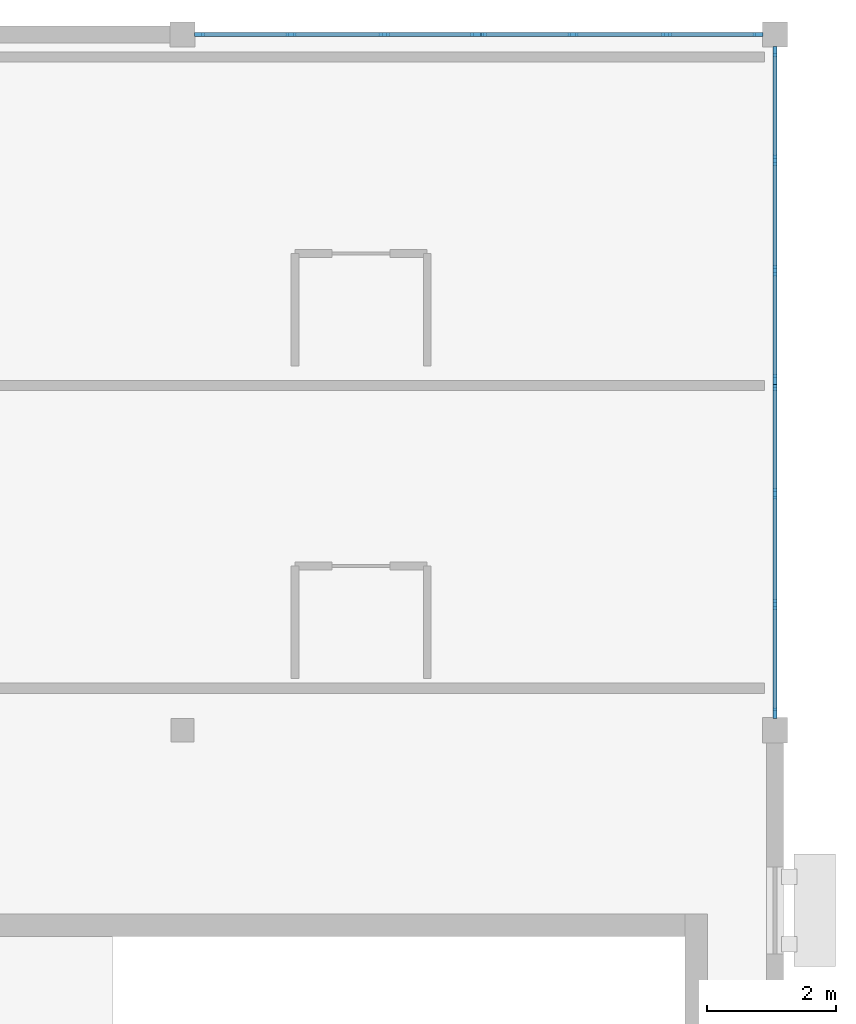
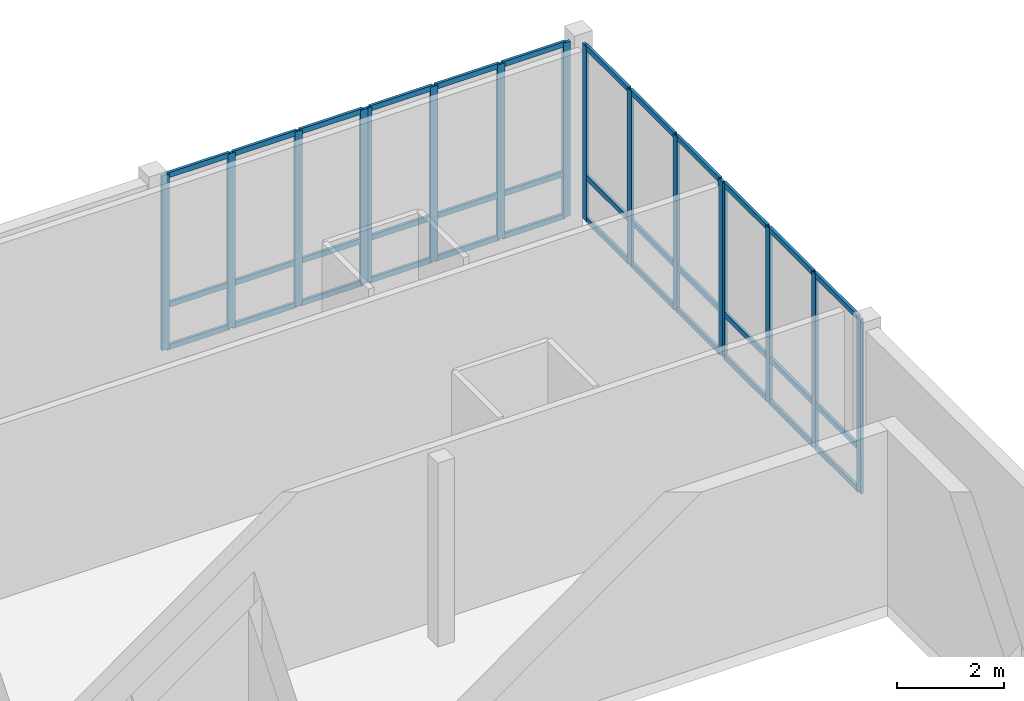
# One storey, part 2 of 9: 52 members, 4 elements without a shape of their own.
"""IFC4 building model written with IfcOpenShell, lengths in metres."""

import ifcopenshell
import ifcopenshell.guid

model = None  # the IFC model being written
_history = None  # IfcOwnerHistory: only IFC2X3 demands one
_inside = {}  # id of a spatial element -> (the spatial element, [elements in it])
_under = {}  # id of a project, library or spatial element -> (it, [spatial elements below it])
_declared = {}  # id of a project -> (the project, [libraries it declares])
_typed = {}  # id of a type object -> (the type object, [elements of that type])
_made_of = {}  # id of a material, layer set ... -> (it, [elements and type objects made of it])


def new_model(schema):
    """Start an empty IFC model of exactly this schema.

    Asked for "IFC4X3", IfcOpenShell would pick the latest addendum, in which some entities
    have other attributes; the version numbers below select the first issue.
    IFC2X3 requires an IfcOwnerHistory on every rooted entity: one is made here for all.
    """
    global model, _history
    if schema == "IFC4X3":
        model = ifcopenshell.file(schema_version=(4, 3, 0, 0))
    else:
        model = ifcopenshell.file(schema=schema)
    _inside.clear()
    _under.clear()
    _declared.clear()
    _typed.clear()
    _made_of.clear()
    _history = None
    if model.schema == "IFC2X3":
        org = make("IfcOrganization", Name="unknown")
        user = make(
            "IfcPersonAndOrganization",
            ThePerson=make("IfcPerson", FamilyName="unknown"),
            TheOrganization=org,
        )
        app = make(
            "IfcApplication",
            ApplicationDeveloper=org,
            Version="unknown",
            ApplicationFullName="unknown",
            ApplicationIdentifier="unknown",
        )
        _history = make(
            "IfcOwnerHistory",
            OwningUser=user,
            OwningApplication=app,
            ChangeAction="ADDED",
            CreationDate=0,
        )
    return model


def make(cls, **values):
    """One entity of the class cls with the attributes given. An attribute that is None is left unset."""
    return model.create_entity(
        cls, **{name: value for name, value in values.items() if value is not None}
    )


def rooted(cls, **values):
    """An entity with a GlobalId (a new one), such as an element, a storey or a relation."""
    return make(cls, GlobalId=ifcopenshell.guid.new(), OwnerHistory=_history, **values)


def si_unit(unit_type, name, prefix=None):
    """IfcSIUnit, for example si_unit("LENGTHUNIT", "METRE", prefix="MILLI")."""
    return make("IfcSIUnit", UnitType=unit_type, Prefix=prefix, Name=name)


def assignment(units):
    """IfcUnitAssignment: the units of a project."""
    return None if units is None else make("IfcUnitAssignment", Units=units)


def point(xyz):
    """IfcCartesianPoint."""
    return None if xyz is None else make("IfcCartesianPoint", Coordinates=xyz)


def direction(xyz):
    """IfcDirection."""
    return None if xyz is None else make("IfcDirection", DirectionRatios=xyz)


def frame(location, z_axis=None, x_axis=None):
    """IfcAxis2Placement3D, a coordinate frame: its origin and axes. An axis left out is left unset."""
    return make(
        "IfcAxis2Placement3D",
        Location=point(location),
        Axis=direction(z_axis),
        RefDirection=direction(x_axis),
    )


def frame_2d(location, x_axis=None):
    """IfcAxis2Placement2D, a coordinate frame in the plane: its origin and x axis."""
    return make(
        "IfcAxis2Placement2D", Location=point(location), RefDirection=direction(x_axis)
    )


def origin():
    """The frame at (0, 0, 0) with its axes left unset."""
    return frame((0.0, 0.0, 0.0))


def origin_2d():
    """The frame at (0, 0) in the plane with its x axis left unset."""
    return frame_2d((0.0, 0.0))


def place(relative_to, where):
    """IfcLocalPlacement: puts the frame where relative to a parent placement (None: the world)."""
    return make(
        "IfcLocalPlacement", PlacementRelTo=relative_to, RelativePlacement=where
    )


def context(
    kind, dimensions, precision=None, world=None, true_north=None, identifier=None
):
    """IfcGeometricRepresentationContext, for example the 3D "Model" context."""
    return make(
        "IfcGeometricRepresentationContext",
        ContextIdentifier=identifier,
        ContextType=kind,
        CoordinateSpaceDimension=dimensions,
        Precision=precision,
        WorldCoordinateSystem=world,
        TrueNorth=true_north,
    )


def subcontext(parent, identifier, kind, view, scale=None):
    """IfcGeometricRepresentationSubContext, for example "Body" below "Model"."""
    return make(
        "IfcGeometricRepresentationSubContext",
        ContextIdentifier=identifier,
        ContextType=kind,
        ParentContext=parent,
        TargetScale=scale,
        TargetView=view,
    )


def project(units=None, contexts=None):
    """IfcProject with its units and contexts."""
    return rooted(
        "IfcProject",
        Name="project",
        RepresentationContexts=contexts,
        UnitsInContext=assignment(units),
    )


def spatial(cls, under=None, at=None, **own):
    """A site, building, storey or space (cls), placed at a placement, below another one or the project."""
    s = rooted(cls, ObjectPlacement=at, **own)
    if under is not None:
        _under.setdefault(under.id(), (under, []))[1].append(s)
    return s


def profile(cls, at=None, kind="AREA", **sizes):
    """A parametric profile (cls). Its sizes go by their IFC names, for example OverallWidth=200.0."""
    return make(cls, ProfileType=kind, Position=at, **sizes)


def rectangle(**sizes):
    """IfcRectangleProfileDef."""
    return profile("IfcRectangleProfileDef", **sizes)


def extrude(swept, where, along, depth):
    """IfcExtrudedAreaSolid: the profile swept, set in the frame where, extruded along a direction by depth."""
    return make(
        "IfcExtrudedAreaSolid",
        SweptArea=swept,
        Position=where,
        ExtrudedDirection=direction(along),
        Depth=depth,
    )


def shape(context_of_items, identifier, shape_type, items):
    """IfcShapeRepresentation: the items that make up one representation, for example the "Body"."""
    return make(
        "IfcShapeRepresentation",
        ContextOfItems=context_of_items,
        RepresentationIdentifier=identifier,
        RepresentationType=shape_type,
        Items=items,
    )


def material(Name=None, Category=None):
    """IfcMaterial."""
    return make("IfcMaterial", Name=Name, Category=Category)


def material_profile(
    of_material, cross_section, Name=None, Category=None, Priority=None
):
    """IfcMaterialProfile: a cross section and its material."""
    return make(
        "IfcMaterialProfile",
        Name=Name,
        Material=of_material,
        Profile=cross_section,
        Priority=Priority,
        Category=Category,
    )


def profile_set(profiles, Name=None, composite=None):
    """IfcMaterialProfileSet."""
    return make(
        "IfcMaterialProfileSet",
        Name=Name,
        MaterialProfiles=profiles,
        CompositeProfile=composite,
    )


def made_of(thing, what):
    """Note that an element or type object is made of a material, layer set ...; save() writes the relation."""
    if what is not None:
        _made_of.setdefault(what.id(), (what, []))[1].append(thing)
    return thing


def type_object(cls, material=None, **own):
    """A type object (cls), such as IfcWallType, which elements share."""
    return made_of(rooted(cls, **own), material)


def element(
    cls,
    number,
    at=None,
    inside=None,
    cuts=None,
    type_object=None,
    material=None,
    context=None,
    identifier="Body",
    shape_type=None,
    held_by="IfcProductDefinitionShape",
    body=None,
    shapes=None,
    **own,
):
    """One element of the class cls, such as IfcWall. Its Tag is "e" and its number.

    at: its placement. inside: the storey or other place that contains it. cuts: it is an
    opening in that element (IfcRelVoidsElement). A single representation is given by context,
    identifier, shape_type and body (its items); several are given by shapes. held_by: the class
    of the entity that holds the representations. save() writes the other relations.
    """
    e = rooted(cls, Tag="e%d" % number, ObjectPlacement=at, **own)
    if body is not None:
        shapes = [shape(context, identifier, shape_type, body)]
    if shapes is not None:
        e.Representation = make(held_by, Representations=shapes)
    if inside is not None:
        _inside.setdefault(inside.id(), (inside, []))[1].append(e)
    if cuts is not None:
        rooted(
            "IfcRelVoidsElement", RelatingBuildingElement=cuts, RelatedOpeningElement=e
        )
    if type_object is not None:
        _typed.setdefault(type_object.id(), (type_object, []))[1].append(e)
    return made_of(e, material)


def aggregate(whole, parts):
    """IfcRelAggregates: a whole, such as a stair, and the parts it consists of."""
    return rooted("IfcRelAggregates", RelatingObject=whole, RelatedObjects=parts)


def save(model, path):
    """Write the relations noted so far, then the file.

    IfcRelAggregates (storeys below a building ...), IfcRelContainedInSpatialStructure (elements
    in a storey), IfcRelDefinesByType, IfcRelAssociatesMaterial and IfcRelDeclares: one each for
    every whole, place, type object, material and project.
    """
    for whole, parts in _under.values():
        aggregate(whole, parts)
    for where, things in _inside.values():
        rooted(
            "IfcRelContainedInSpatialStructure",
            RelatedElements=things,
            RelatingStructure=where,
        )
    for kind, things in _typed.values():
        rooted("IfcRelDefinesByType", RelatedObjects=things, RelatingType=kind)
    for what, things in _made_of.values():
        rooted("IfcRelAssociatesMaterial", RelatedObjects=things, RelatingMaterial=what)
    for by, libraries in _declared.values():
        rooted("IfcRelDeclares", RelatingContext=by, RelatedDefinitions=libraries)
    model.write(path)


model = new_model("IFC4")

# Units and contexts
model_context = context("Model", 3, precision=1e-05, world=origin(), true_north=direction((0.0, 1.0)))
body_context = subcontext(model_context, "Body", "Model", "MODEL_VIEW")
ifc_project = project(units=[si_unit("LENGTHUNIT", "METRE"), si_unit("AREAUNIT", "SQUARE_METRE"), si_unit("VOLUMEUNIT", "CUBIC_METRE"), si_unit("PLANEANGLEUNIT", "RADIAN"), si_unit("MASSUNIT", "GRAM", prefix="KILO")], contexts=[model_context])

# Site, building, storey
site_placement = place(None, origin())
site = spatial("IfcSite", under=ifc_project, at=site_placement, CompositionType="ELEMENT")
building_placement = place(site_placement, origin())
building = spatial("IfcBuilding", under=site, at=building_placement, Name="Veldera Park Congress Hotel", CompositionType="ELEMENT")
storey_placement = place(building_placement, frame((0.0, 0.0, 46.60009765625)))
storey = spatial("IfcBuildingStorey", under=building, at=storey_placement, Name="L11", CompositionType="ELEMENT", Elevation=46.60009765625)

# Curtain wall, members
ifc_material_1 = material(Name="Low-E Triple Insulating Glass Unit (SHGC 0.22)", Category="glass")
curtain_wall_type = type_object("IfcCurtainWallType", Name="CW-HTL", PredefinedType="NOTDEFINED", material=ifc_material_1)
curtain_wall_1_placement = place(storey_placement, origin())
curtain_wall_1 = element("IfcCurtainWall", 1, at=curtain_wall_1_placement, inside=storey, type_object=curtain_wall_type, Name="L11 Curtain Wall CW3-HTLNE-L11-130", PredefinedType="NOTDEFINED")
ifc_material_2 = material(Name="Anodised Aluminium Alloy 6063-T6", Category="aluminium")
ifc_material_profile_1 = material_profile(ifc_material_2, rectangle(XDim=0.06005859375, YDim=0.159912109375, at=origin_2d()), Name="ALU 60x160")
ifc_profile_set_1 = profile_set([ifc_material_profile_1], Name="Anodised Aluminium Alloy 6063-T6")
member_type_1 = type_object("IfcMemberType", Name="CWM-160", PredefinedType="MULLION", material=ifc_profile_set_1)
member_1_placement = place(storey_placement, frame((84.0, 47.465087890625, 0.0), z_axis=(0.0, 0.0, 1.0), x_axis=(-1.0, 0.0, 0.0)))
member_1 = element("IfcMember", 2, at=member_1_placement, type_object=member_type_1, Name="CW-HTL mullion 1", PredefinedType="MULLION", context=body_context, shape_type="SweptSolid", body=[
    extrude(rectangle(XDim=0.06005859375, YDim=0.159912109375, at=origin_2d()), origin(), (0.0, 0.0, 1.0), 3.989990234375),
])
member_2_placement = place(storey_placement, frame((84.0, 49.151611328125, 0.0), z_axis=(0.0, 0.0, 1.0), x_axis=(-1.0, 0.0, 0.0)))
member_2 = element("IfcMember", 3, at=member_2_placement, type_object=member_type_1, Name="CW-HTL mullion 2", PredefinedType="MULLION", context=body_context, shape_type="SweptSolid", body=[
    extrude(rectangle(XDim=0.06005859375, YDim=0.159912109375, at=origin_2d()), origin(), (0.0, 0.0, 1.0), 3.989990234375),
])
member_3_placement = place(storey_placement, frame((84.0, 50.868408203125, 0.0), z_axis=(0.0, 0.0, 1.0), x_axis=(-1.0, 0.0, 0.0)))
member_3 = element("IfcMember", 4, at=member_3_placement, type_object=member_type_1, Name="CW-HTL mullion 3", PredefinedType="MULLION", context=body_context, shape_type="SweptSolid", body=[
    extrude(rectangle(XDim=0.06005859375, YDim=0.159912109375, at=origin_2d()), origin(), (0.0, 0.0, 1.0), 3.989990234375),
])
member_4_placement = place(storey_placement, frame((84.0, 52.554931640625, 0.0), z_axis=(0.0, 0.0, 1.0), x_axis=(-1.0, 0.0, 0.0)))
member_4 = element("IfcMember", 5, at=member_4_placement, type_object=member_type_1, Name="CW-HTL mullion 4", PredefinedType="MULLION", context=body_context, shape_type="SweptSolid", body=[
    extrude(rectangle(XDim=0.06005859375, YDim=0.159912109375, at=origin_2d()), origin(), (0.0, 0.0, 1.0), 3.989990234375),
])

curtain_wall_2_placement = place(storey_placement, origin())
curtain_wall_2 = element("IfcCurtainWall", 6, at=curtain_wall_2_placement, inside=storey, type_object=curtain_wall_type, Name="L11 Curtain Wall CW3-HTLNE-L11-131", PredefinedType="NOTDEFINED")
member_5_placement = place(storey_placement, frame((84.0, 52.64501953125, 0.0), z_axis=(0.0, 0.0, 1.0), x_axis=(-1.0, 0.0, 0.0)))
member_5 = element("IfcMember", 7, at=member_5_placement, type_object=member_type_1, Name="CW-HTL mullion 1", PredefinedType="MULLION", context=body_context, shape_type="SweptSolid", body=[
    extrude(rectangle(XDim=0.06005859375, YDim=0.159912109375, at=origin_2d()), origin(), (0.0, 0.0, 1.0), 3.989990234375),
])
member_6_placement = place(storey_placement, frame((84.0, 54.331787109375, 0.0), z_axis=(0.0, 0.0, 1.0), x_axis=(-1.0, 0.0, 0.0)))
member_6 = element("IfcMember", 8, at=member_6_placement, type_object=member_type_1, Name="CW-HTL mullion 2", PredefinedType="MULLION", context=body_context, shape_type="SweptSolid", body=[
    extrude(rectangle(XDim=0.06005859375, YDim=0.159912109375, at=origin_2d()), origin(), (0.0, 0.0, 1.0), 3.989990234375),
])
member_7_placement = place(storey_placement, frame((84.0, 56.04833984375, 0.0), z_axis=(0.0, 0.0, 1.0), x_axis=(-1.0, 0.0, 0.0)))
member_7 = element("IfcMember", 9, at=member_7_placement, type_object=member_type_1, Name="CW-HTL mullion 3", PredefinedType="MULLION", context=body_context, shape_type="SweptSolid", body=[
    extrude(rectangle(XDim=0.06005859375, YDim=0.159912109375, at=origin_2d()), origin(), (0.0, 0.0, 1.0), 3.989990234375),
])
member_8_placement = place(storey_placement, frame((84.0, 57.735107421875, 0.0), z_axis=(0.0, 0.0, 1.0), x_axis=(-1.0, 0.0, 0.0)))
member_8 = element("IfcMember", 10, at=member_8_placement, type_object=member_type_1, Name="CW-HTL mullion 4", PredefinedType="MULLION", context=body_context, shape_type="SweptSolid", body=[
    extrude(rectangle(XDim=0.06005859375, YDim=0.159912109375, at=origin_2d()), origin(), (0.0, 0.0, 1.0), 3.989990234375),
])

curtain_wall_3_placement = place(storey_placement, origin())
curtain_wall_3 = element("IfcCurtainWall", 11, at=curtain_wall_3_placement, inside=storey, type_object=curtain_wall_type, Name="L11 Curtain Wall CW3-HTLNN-L11-132", PredefinedType="NOTDEFINED")
member_9_placement = place(storey_placement, frame((83.735107421875, 58.0, 0.0), z_axis=(0.0, 0.0, 1.0), x_axis=(0.0, -1.0, 0.0)))
member_9 = element("IfcMember", 12, at=member_9_placement, type_object=member_type_1, Name="CW-HTL mullion 1", PredefinedType="MULLION", context=body_context, shape_type="SweptSolid", body=[
    extrude(rectangle(XDim=0.06005859375, YDim=0.159912109375, at=origin_2d()), origin(), (0.0, 0.0, 1.0), 3.989990234375),
])
member_10_placement = place(storey_placement, frame((82.31494140625, 58.0, 0.0), z_axis=(0.0, 0.0, 1.0), x_axis=(0.0, -1.0, 0.0)))
member_10 = element("IfcMember", 13, at=member_10_placement, type_object=member_type_1, Name="CW-HTL mullion 2", PredefinedType="MULLION", context=body_context, shape_type="SweptSolid", body=[
    extrude(rectangle(XDim=0.06005859375, YDim=0.159912109375, at=origin_2d()), origin(), (0.0, 0.0, 1.0), 3.989990234375),
])
member_11_placement = place(storey_placement, frame((80.864990234375, 58.0, 0.0), z_axis=(0.0, 0.0, 1.0), x_axis=(0.0, -1.0, 0.0)))
member_11 = element("IfcMember", 14, at=member_11_placement, type_object=member_type_1, Name="CW-HTL mullion 3", PredefinedType="MULLION", context=body_context, shape_type="SweptSolid", body=[
    extrude(rectangle(XDim=0.06005859375, YDim=0.159912109375, at=origin_2d()), origin(), (0.0, 0.0, 1.0), 3.989990234375),
])
member_12_placement = place(storey_placement, frame((79.445068359375, 58.0, 0.0), z_axis=(0.0, 0.0, 1.0), x_axis=(0.0, -1.0, 0.0)))
member_12 = element("IfcMember", 15, at=member_12_placement, type_object=member_type_1, Name="CW-HTL mullion 4", PredefinedType="MULLION", context=body_context, shape_type="SweptSolid", body=[
    extrude(rectangle(XDim=0.06005859375, YDim=0.159912109375, at=origin_2d()), origin(), (0.0, 0.0, 1.0), 3.989990234375),
])

curtain_wall_4_placement = place(storey_placement, origin())
curtain_wall_4 = element("IfcCurtainWall", 16, at=curtain_wall_4_placement, inside=storey, type_object=curtain_wall_type, Name="L11 Curtain Wall CW3-HTLNN-L11-133", PredefinedType="NOTDEFINED")
member_13_placement = place(storey_placement, frame((79.35498046875, 58.0, 0.0), z_axis=(0.0, 0.0, 1.0), x_axis=(0.0, -1.0, 0.0)))
member_13 = element("IfcMember", 17, at=member_13_placement, type_object=member_type_1, Name="CW-HTL mullion 1", PredefinedType="MULLION", context=body_context, shape_type="SweptSolid", body=[
    extrude(rectangle(XDim=0.06005859375, YDim=0.159912109375, at=origin_2d()), origin(), (0.0, 0.0, 1.0), 3.989990234375),
])
member_14_placement = place(storey_placement, frame((77.93505859375, 58.0, 0.0), z_axis=(0.0, 0.0, 1.0), x_axis=(0.0, -1.0, 0.0)))
member_14 = element("IfcMember", 18, at=member_14_placement, type_object=member_type_1, Name="CW-HTL mullion 2", PredefinedType="MULLION", context=body_context, shape_type="SweptSolid", body=[
    extrude(rectangle(XDim=0.06005859375, YDim=0.159912109375, at=origin_2d()), origin(), (0.0, 0.0, 1.0), 3.989990234375),
])
member_15_placement = place(storey_placement, frame((76.485107421875, 58.0, 0.0), z_axis=(0.0, 0.0, 1.0), x_axis=(0.0, -1.0, 0.0)))
member_15 = element("IfcMember", 19, at=member_15_placement, type_object=member_type_1, Name="CW-HTL mullion 3", PredefinedType="MULLION", context=body_context, shape_type="SweptSolid", body=[
    extrude(rectangle(XDim=0.06005859375, YDim=0.159912109375, at=origin_2d()), origin(), (0.0, 0.0, 1.0), 3.989990234375),
])
member_16_placement = place(storey_placement, frame((75.06494140625, 58.0, 0.0), z_axis=(0.0, 0.0, 1.0), x_axis=(0.0, -1.0, 0.0)))
member_16 = element("IfcMember", 20, at=member_16_placement, type_object=member_type_1, Name="CW-HTL mullion 4", PredefinedType="MULLION", context=body_context, shape_type="SweptSolid", body=[
    extrude(rectangle(XDim=0.06005859375, YDim=0.159912109375, at=origin_2d()), origin(), (0.0, 0.0, 1.0), 3.989990234375),
])

# Member
ifc_material_profile_2 = material_profile(ifc_material_2, rectangle(XDim=0.06005859375, YDim=0.1201171875, at=origin_2d()), Name="ALU 60x120")
ifc_profile_set_2 = profile_set([ifc_material_profile_2], Name="Anodised Aluminium Alloy 6063-T6")
member_type_2 = type_object("IfcMemberType", Name="CWT-120", PredefinedType="USERDEFINED", material=ifc_profile_set_2)
member_17_placement = place(storey_placement, frame((84.0, 47.4951171875, 0.02978515625), z_axis=(0.0, 1.0, 0.0), x_axis=(-1.0, 0.0, 0.0)))
member_17 = element("IfcMember", 21, at=member_17_placement, type_object=member_type_2, Name="CW-HTL transom 1.1", ObjectType="TRANSOM", PredefinedType="USERDEFINED", context=body_context, shape_type="SweptSolid", body=[
    extrude(rectangle(XDim=0.06005859375, YDim=0.1201171875, at=origin_2d()), origin(), (0.0, 0.0, 1.0), 1.62646484375),
])

member_18_placement = place(storey_placement, frame((84.0, 47.4951171875, 1.0), z_axis=(0.0, 1.0, 0.0), x_axis=(-1.0, 0.0, 0.0)))
member_18 = element("IfcMember", 22, at=member_18_placement, type_object=member_type_2, Name="CW-HTL transom 1.2", ObjectType="TRANSOM", PredefinedType="USERDEFINED", context=body_context, shape_type="SweptSolid", body=[
    extrude(rectangle(XDim=0.06005859375, YDim=0.1201171875, at=origin_2d()), origin(), (0.0, 0.0, 1.0), 1.62646484375),
])

member_19_placement = place(storey_placement, frame((84.0, 47.4951171875, 3.9599609375), z_axis=(0.0, 1.0, 0.0), x_axis=(-1.0, 0.0, 0.0)))
member_19 = element("IfcMember", 23, at=member_19_placement, type_object=member_type_2, Name="CW-HTL transom 1.3", ObjectType="TRANSOM", PredefinedType="USERDEFINED", context=body_context, shape_type="SweptSolid", body=[
    extrude(rectangle(XDim=0.06005859375, YDim=0.1201171875, at=origin_2d()), origin(), (0.0, 0.0, 1.0), 1.62646484375),
])

member_20_placement = place(storey_placement, frame((84.0, 49.181640625, 0.02978515625), z_axis=(0.0, 1.0, 0.0), x_axis=(-1.0, 0.0, 0.0)))
member_20 = element("IfcMember", 24, at=member_20_placement, type_object=member_type_2, Name="CW-HTL transom 2.1", ObjectType="TRANSOM", PredefinedType="USERDEFINED", context=body_context, shape_type="SweptSolid", body=[
    extrude(rectangle(XDim=0.06005859375, YDim=0.1201171875, at=origin_2d()), origin(), (0.0, 0.0, 1.0), 1.65673828125),
])

member_21_placement = place(storey_placement, frame((84.0, 49.181640625, 1.0), z_axis=(0.0, 1.0, 0.0), x_axis=(-1.0, 0.0, 0.0)))
member_21 = element("IfcMember", 25, at=member_21_placement, type_object=member_type_2, Name="CW-HTL transom 2.2", ObjectType="TRANSOM", PredefinedType="USERDEFINED", context=body_context, shape_type="SweptSolid", body=[
    extrude(rectangle(XDim=0.06005859375, YDim=0.1201171875, at=origin_2d()), origin(), (0.0, 0.0, 1.0), 1.65673828125),
])

member_22_placement = place(storey_placement, frame((84.0, 49.181640625, 3.9599609375), z_axis=(0.0, 1.0, 0.0), x_axis=(-1.0, 0.0, 0.0)))
member_22 = element("IfcMember", 26, at=member_22_placement, type_object=member_type_2, Name="CW-HTL transom 2.3", ObjectType="TRANSOM", PredefinedType="USERDEFINED", context=body_context, shape_type="SweptSolid", body=[
    extrude(rectangle(XDim=0.06005859375, YDim=0.1201171875, at=origin_2d()), origin(), (0.0, 0.0, 1.0), 1.65673828125),
])

member_23_placement = place(storey_placement, frame((84.0, 50.8984375, 0.02978515625), z_axis=(0.0, 1.0, 0.0), x_axis=(-1.0, 0.0, 0.0)))
member_23 = element("IfcMember", 27, at=member_23_placement, type_object=member_type_2, Name="CW-HTL transom 3.1", ObjectType="TRANSOM", PredefinedType="USERDEFINED", context=body_context, shape_type="SweptSolid", body=[
    extrude(rectangle(XDim=0.06005859375, YDim=0.1201171875, at=origin_2d()), origin(), (0.0, 0.0, 1.0), 1.62646484375),
])

member_24_placement = place(storey_placement, frame((84.0, 50.8984375, 1.0), z_axis=(0.0, 1.0, 0.0), x_axis=(-1.0, 0.0, 0.0)))
member_24 = element("IfcMember", 28, at=member_24_placement, type_object=member_type_2, Name="CW-HTL transom 3.2", ObjectType="TRANSOM", PredefinedType="USERDEFINED", context=body_context, shape_type="SweptSolid", body=[
    extrude(rectangle(XDim=0.06005859375, YDim=0.1201171875, at=origin_2d()), origin(), (0.0, 0.0, 1.0), 1.62646484375),
])

member_25_placement = place(storey_placement, frame((84.0, 50.8984375, 3.9599609375), z_axis=(0.0, 1.0, 0.0), x_axis=(-1.0, 0.0, 0.0)))
member_25 = element("IfcMember", 29, at=member_25_placement, type_object=member_type_2, Name="CW-HTL transom 3.3", ObjectType="TRANSOM", PredefinedType="USERDEFINED", context=body_context, shape_type="SweptSolid", body=[
    extrude(rectangle(XDim=0.06005859375, YDim=0.1201171875, at=origin_2d()), origin(), (0.0, 0.0, 1.0), 1.62646484375),
])

aggregate(curtain_wall_1, [member_1, member_2, member_3, member_4, member_17, member_18, member_19, member_20, member_21, member_22, member_23, member_24, member_25])

member_26_placement = place(storey_placement, frame((84.0, 52.675048828125, 0.02978515625), z_axis=(0.0, 1.0, 0.0), x_axis=(-1.0, 0.0, 0.0)))
member_26 = element("IfcMember", 30, at=member_26_placement, type_object=member_type_2, Name="CW-HTL transom 1.1", ObjectType="TRANSOM", PredefinedType="USERDEFINED", context=body_context, shape_type="SweptSolid", body=[
    extrude(rectangle(XDim=0.06005859375, YDim=0.1201171875, at=origin_2d()), origin(), (0.0, 0.0, 1.0), 1.626708984375),
])

member_27_placement = place(storey_placement, frame((84.0, 52.675048828125, 1.0), z_axis=(0.0, 1.0, 0.0), x_axis=(-1.0, 0.0, 0.0)))
member_27 = element("IfcMember", 31, at=member_27_placement, type_object=member_type_2, Name="CW-HTL transom 1.2", ObjectType="TRANSOM", PredefinedType="USERDEFINED", context=body_context, shape_type="SweptSolid", body=[
    extrude(rectangle(XDim=0.06005859375, YDim=0.1201171875, at=origin_2d()), origin(), (0.0, 0.0, 1.0), 1.626708984375),
])

member_28_placement = place(storey_placement, frame((84.0, 52.675048828125, 3.9599609375), z_axis=(0.0, 1.0, 0.0), x_axis=(-1.0, 0.0, 0.0)))
member_28 = element("IfcMember", 32, at=member_28_placement, type_object=member_type_2, Name="CW-HTL transom 1.3", ObjectType="TRANSOM", PredefinedType="USERDEFINED", context=body_context, shape_type="SweptSolid", body=[
    extrude(rectangle(XDim=0.06005859375, YDim=0.1201171875, at=origin_2d()), origin(), (0.0, 0.0, 1.0), 1.626708984375),
])

member_29_placement = place(storey_placement, frame((84.0, 54.361572265625, 0.02978515625), z_axis=(0.0, 1.0, 0.0), x_axis=(-1.0, 0.0, 0.0)))
member_29 = element("IfcMember", 33, at=member_29_placement, type_object=member_type_2, Name="CW-HTL transom 2.1", ObjectType="TRANSOM", PredefinedType="USERDEFINED", context=body_context, shape_type="SweptSolid", body=[
    extrude(rectangle(XDim=0.06005859375, YDim=0.1201171875, at=origin_2d()), origin(), (0.0, 0.0, 1.0), 1.65673828125),
])

member_30_placement = place(storey_placement, frame((84.0, 54.361572265625, 1.0), z_axis=(0.0, 1.0, 0.0), x_axis=(-1.0, 0.0, 0.0)))
member_30 = element("IfcMember", 34, at=member_30_placement, type_object=member_type_2, Name="CW-HTL transom 2.2", ObjectType="TRANSOM", PredefinedType="USERDEFINED", context=body_context, shape_type="SweptSolid", body=[
    extrude(rectangle(XDim=0.06005859375, YDim=0.1201171875, at=origin_2d()), origin(), (0.0, 0.0, 1.0), 1.65673828125),
])

member_31_placement = place(storey_placement, frame((84.0, 54.361572265625, 3.9599609375), z_axis=(0.0, 1.0, 0.0), x_axis=(-1.0, 0.0, 0.0)))
member_31 = element("IfcMember", 35, at=member_31_placement, type_object=member_type_2, Name="CW-HTL transom 2.3", ObjectType="TRANSOM", PredefinedType="USERDEFINED", context=body_context, shape_type="SweptSolid", body=[
    extrude(rectangle(XDim=0.06005859375, YDim=0.1201171875, at=origin_2d()), origin(), (0.0, 0.0, 1.0), 1.65673828125),
])

member_32_placement = place(storey_placement, frame((84.0, 56.078369140625, 0.02978515625), z_axis=(0.0, 1.0, 0.0), x_axis=(-1.0, 0.0, 0.0)))
member_32 = element("IfcMember", 36, at=member_32_placement, type_object=member_type_2, Name="CW-HTL transom 3.1", ObjectType="TRANSOM", PredefinedType="USERDEFINED", context=body_context, shape_type="SweptSolid", body=[
    extrude(rectangle(XDim=0.06005859375, YDim=0.1201171875, at=origin_2d()), origin(), (0.0, 0.0, 1.0), 1.626708984375),
])

member_33_placement = place(storey_placement, frame((84.0, 56.078369140625, 1.0), z_axis=(0.0, 1.0, 0.0), x_axis=(-1.0, 0.0, 0.0)))
member_33 = element("IfcMember", 37, at=member_33_placement, type_object=member_type_2, Name="CW-HTL transom 3.2", ObjectType="TRANSOM", PredefinedType="USERDEFINED", context=body_context, shape_type="SweptSolid", body=[
    extrude(rectangle(XDim=0.06005859375, YDim=0.1201171875, at=origin_2d()), origin(), (0.0, 0.0, 1.0), 1.626708984375),
])

member_34_placement = place(storey_placement, frame((84.0, 56.078369140625, 3.9599609375), z_axis=(0.0, 1.0, 0.0), x_axis=(-1.0, 0.0, 0.0)))
member_34 = element("IfcMember", 38, at=member_34_placement, type_object=member_type_2, Name="CW-HTL transom 3.3", ObjectType="TRANSOM", PredefinedType="USERDEFINED", context=body_context, shape_type="SweptSolid", body=[
    extrude(rectangle(XDim=0.06005859375, YDim=0.1201171875, at=origin_2d()), origin(), (0.0, 0.0, 1.0), 1.626708984375),
])

aggregate(curtain_wall_2, [member_5, member_6, member_7, member_8, member_26, member_27, member_28, member_29, member_30, member_31, member_32, member_33, member_34])

member_35_placement = place(storey_placement, frame((83.705078125, 58.0, 0.02978515625), z_axis=(-1.0, 0.0, 0.0), x_axis=(0.0, -1.0, 0.0)))
member_35 = element("IfcMember", 39, at=member_35_placement, type_object=member_type_2, Name="CW-HTL transom 1.1", ObjectType="TRANSOM", PredefinedType="USERDEFINED", context=body_context, shape_type="SweptSolid", body=[
    extrude(rectangle(XDim=0.06005859375, YDim=0.1201171875, at=origin_2d()), origin(), (0.0, 0.0, 1.0), 1.360107421875),
])

member_36_placement = place(storey_placement, frame((83.705078125, 58.0, 1.0), z_axis=(-1.0, 0.0, 0.0), x_axis=(0.0, -1.0, 0.0)))
member_36 = element("IfcMember", 40, at=member_36_placement, type_object=member_type_2, Name="CW-HTL transom 1.2", ObjectType="TRANSOM", PredefinedType="USERDEFINED", context=body_context, shape_type="SweptSolid", body=[
    extrude(rectangle(XDim=0.06005859375, YDim=0.1201171875, at=origin_2d()), origin(), (0.0, 0.0, 1.0), 1.360107421875),
])

member_37_placement = place(storey_placement, frame((83.705078125, 58.0, 3.9599609375), z_axis=(-1.0, 0.0, 0.0), x_axis=(0.0, -1.0, 0.0)))
member_37 = element("IfcMember", 41, at=member_37_placement, type_object=member_type_2, Name="CW-HTL transom 1.3", ObjectType="TRANSOM", PredefinedType="USERDEFINED", context=body_context, shape_type="SweptSolid", body=[
    extrude(rectangle(XDim=0.06005859375, YDim=0.1201171875, at=origin_2d()), origin(), (0.0, 0.0, 1.0), 1.360107421875),
])

member_38_placement = place(storey_placement, frame((82.284912109375, 58.0, 0.02978515625), z_axis=(-1.0, 0.0, 0.0), x_axis=(0.0, -1.0, 0.0)))
member_38 = element("IfcMember", 42, at=member_38_placement, type_object=member_type_2, Name="CW-HTL transom 2.1", ObjectType="TRANSOM", PredefinedType="USERDEFINED", context=body_context, shape_type="SweptSolid", body=[
    extrude(rectangle(XDim=0.06005859375, YDim=0.1201171875, at=origin_2d()), origin(), (0.0, 0.0, 1.0), 1.389892578125),
])

member_39_placement = place(storey_placement, frame((82.284912109375, 58.0, 1.0), z_axis=(-1.0, 0.0, 0.0), x_axis=(0.0, -1.0, 0.0)))
member_39 = element("IfcMember", 43, at=member_39_placement, type_object=member_type_2, Name="CW-HTL transom 2.2", ObjectType="TRANSOM", PredefinedType="USERDEFINED", context=body_context, shape_type="SweptSolid", body=[
    extrude(rectangle(XDim=0.06005859375, YDim=0.1201171875, at=origin_2d()), origin(), (0.0, 0.0, 1.0), 1.389892578125),
])

member_40_placement = place(storey_placement, frame((82.284912109375, 58.0, 3.9599609375), z_axis=(-1.0, 0.0, 0.0), x_axis=(0.0, -1.0, 0.0)))
member_40 = element("IfcMember", 44, at=member_40_placement, type_object=member_type_2, Name="CW-HTL transom 2.3", ObjectType="TRANSOM", PredefinedType="USERDEFINED", context=body_context, shape_type="SweptSolid", body=[
    extrude(rectangle(XDim=0.06005859375, YDim=0.1201171875, at=origin_2d()), origin(), (0.0, 0.0, 1.0), 1.389892578125),
])

member_41_placement = place(storey_placement, frame((80.8349609375, 58.0, 0.02978515625), z_axis=(-1.0, 0.0, 0.0), x_axis=(0.0, -1.0, 0.0)))
member_41 = element("IfcMember", 45, at=member_41_placement, type_object=member_type_2, Name="CW-HTL transom 3.1", ObjectType="TRANSOM", PredefinedType="USERDEFINED", context=body_context, shape_type="SweptSolid", body=[
    extrude(rectangle(XDim=0.06005859375, YDim=0.1201171875, at=origin_2d()), origin(), (0.0, 0.0, 1.0), 1.35986328125),
])

member_42_placement = place(storey_placement, frame((80.8349609375, 58.0, 1.0), z_axis=(-1.0, 0.0, 0.0), x_axis=(0.0, -1.0, 0.0)))
member_42 = element("IfcMember", 46, at=member_42_placement, type_object=member_type_2, Name="CW-HTL transom 3.2", ObjectType="TRANSOM", PredefinedType="USERDEFINED", context=body_context, shape_type="SweptSolid", body=[
    extrude(rectangle(XDim=0.06005859375, YDim=0.1201171875, at=origin_2d()), origin(), (0.0, 0.0, 1.0), 1.35986328125),
])

member_43_placement = place(storey_placement, frame((80.8349609375, 58.0, 3.9599609375), z_axis=(-1.0, 0.0, 0.0), x_axis=(0.0, -1.0, 0.0)))
member_43 = element("IfcMember", 47, at=member_43_placement, type_object=member_type_2, Name="CW-HTL transom 3.3", ObjectType="TRANSOM", PredefinedType="USERDEFINED", context=body_context, shape_type="SweptSolid", body=[
    extrude(rectangle(XDim=0.06005859375, YDim=0.1201171875, at=origin_2d()), origin(), (0.0, 0.0, 1.0), 1.35986328125),
])

aggregate(curtain_wall_3, [member_9, member_10, member_11, member_12, member_35, member_36, member_37, member_38, member_39, member_40, member_41, member_42, member_43])

member_44_placement = place(storey_placement, frame((79.324951171875, 58.0, 0.02978515625), z_axis=(-1.0, 0.0, 0.0), x_axis=(0.0, -1.0, 0.0)))
member_44 = element("IfcMember", 48, at=member_44_placement, type_object=member_type_2, Name="CW-HTL transom 1.1", ObjectType="TRANSOM", PredefinedType="USERDEFINED", context=body_context, shape_type="SweptSolid", body=[
    extrude(rectangle(XDim=0.06005859375, YDim=0.1201171875, at=origin_2d()), origin(), (0.0, 0.0, 1.0), 1.35986328125),
])

member_45_placement = place(storey_placement, frame((79.324951171875, 58.0, 1.0), z_axis=(-1.0, 0.0, 0.0), x_axis=(0.0, -1.0, 0.0)))
member_45 = element("IfcMember", 49, at=member_45_placement, type_object=member_type_2, Name="CW-HTL transom 1.2", ObjectType="TRANSOM", PredefinedType="USERDEFINED", context=body_context, shape_type="SweptSolid", body=[
    extrude(rectangle(XDim=0.06005859375, YDim=0.1201171875, at=origin_2d()), origin(), (0.0, 0.0, 1.0), 1.35986328125),
])

member_46_placement = place(storey_placement, frame((79.324951171875, 58.0, 3.9599609375), z_axis=(-1.0, 0.0, 0.0), x_axis=(0.0, -1.0, 0.0)))
member_46 = element("IfcMember", 50, at=member_46_placement, type_object=member_type_2, Name="CW-HTL transom 1.3", ObjectType="TRANSOM", PredefinedType="USERDEFINED", context=body_context, shape_type="SweptSolid", body=[
    extrude(rectangle(XDim=0.06005859375, YDim=0.1201171875, at=origin_2d()), origin(), (0.0, 0.0, 1.0), 1.35986328125),
])

member_47_placement = place(storey_placement, frame((77.905029296875, 58.0, 0.02978515625), z_axis=(-1.0, 0.0, 0.0), x_axis=(0.0, -1.0, 0.0)))
member_47 = element("IfcMember", 51, at=member_47_placement, type_object=member_type_2, Name="CW-HTL transom 2.1", ObjectType="TRANSOM", PredefinedType="USERDEFINED", context=body_context, shape_type="SweptSolid", body=[
    extrude(rectangle(XDim=0.06005859375, YDim=0.1201171875, at=origin_2d()), origin(), (0.0, 0.0, 1.0), 1.39013671875),
])

member_48_placement = place(storey_placement, frame((77.905029296875, 58.0, 1.0), z_axis=(-1.0, 0.0, 0.0), x_axis=(0.0, -1.0, 0.0)))
member_48 = element("IfcMember", 52, at=member_48_placement, type_object=member_type_2, Name="CW-HTL transom 2.2", ObjectType="TRANSOM", PredefinedType="USERDEFINED", context=body_context, shape_type="SweptSolid", body=[
    extrude(rectangle(XDim=0.06005859375, YDim=0.1201171875, at=origin_2d()), origin(), (0.0, 0.0, 1.0), 1.39013671875),
])

member_49_placement = place(storey_placement, frame((77.905029296875, 58.0, 3.9599609375), z_axis=(-1.0, 0.0, 0.0), x_axis=(0.0, -1.0, 0.0)))
member_49 = element("IfcMember", 53, at=member_49_placement, type_object=member_type_2, Name="CW-HTL transom 2.3", ObjectType="TRANSOM", PredefinedType="USERDEFINED", context=body_context, shape_type="SweptSolid", body=[
    extrude(rectangle(XDim=0.06005859375, YDim=0.1201171875, at=origin_2d()), origin(), (0.0, 0.0, 1.0), 1.39013671875),
])

member_50_placement = place(storey_placement, frame((76.455078125, 58.0, 0.02978515625), z_axis=(-1.0, 0.0, 0.0), x_axis=(0.0, -1.0, 0.0)))
member_50 = element("IfcMember", 54, at=member_50_placement, type_object=member_type_2, Name="CW-HTL transom 3.1", ObjectType="TRANSOM", PredefinedType="USERDEFINED", context=body_context, shape_type="SweptSolid", body=[
    extrude(rectangle(XDim=0.06005859375, YDim=0.1201171875, at=origin_2d()), origin(), (0.0, 0.0, 1.0), 1.360107421875),
])

member_51_placement = place(storey_placement, frame((76.455078125, 58.0, 1.0), z_axis=(-1.0, 0.0, 0.0), x_axis=(0.0, -1.0, 0.0)))
member_51 = element("IfcMember", 55, at=member_51_placement, type_object=member_type_2, Name="CW-HTL transom 3.2", ObjectType="TRANSOM", PredefinedType="USERDEFINED", context=body_context, shape_type="SweptSolid", body=[
    extrude(rectangle(XDim=0.06005859375, YDim=0.1201171875, at=origin_2d()), origin(), (0.0, 0.0, 1.0), 1.360107421875),
])

member_52_placement = place(storey_placement, frame((76.455078125, 58.0, 3.9599609375), z_axis=(-1.0, 0.0, 0.0), x_axis=(0.0, -1.0, 0.0)))
member_52 = element("IfcMember", 56, at=member_52_placement, type_object=member_type_2, Name="CW-HTL transom 3.3", ObjectType="TRANSOM", PredefinedType="USERDEFINED", context=body_context, shape_type="SweptSolid", body=[
    extrude(rectangle(XDim=0.06005859375, YDim=0.1201171875, at=origin_2d()), origin(), (0.0, 0.0, 1.0), 1.360107421875),
])

aggregate(curtain_wall_4, [member_13, member_14, member_15, member_16, member_44, member_45, member_46, member_47, member_48, member_49, member_50, member_51, member_52])

save(model, "model.ifc")
